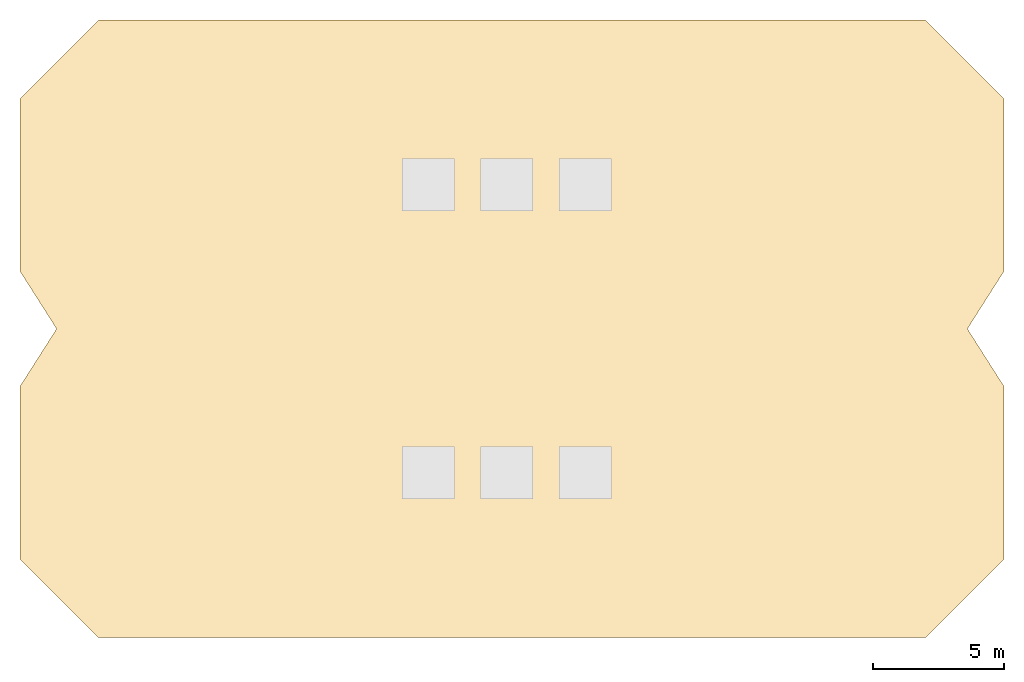
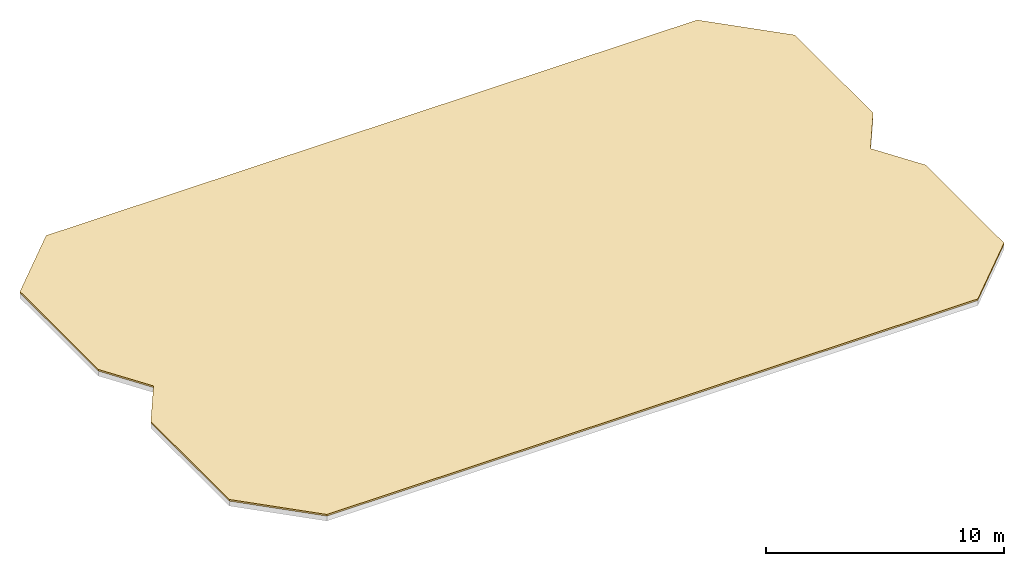
# One storey, part 2 of 2: 1 covering.
"""IFC4 building model written with IfcOpenShell, lengths in metres."""

from ifc_helpers import new_model, si_unit, direction, frame, origin, place, context, subcontext, project, spatial, polyline, outline, extrude, material, layer, layer_set, type_object, element, save


model = new_model("IFC4")

# Units and contexts
model_context = context("Model", 3, precision=1e-05, world=origin(), true_north=direction((0.0, 1.0)))
body_context = subcontext(model_context, "Body", "Model", "MODEL_VIEW")
ifc_project = project(units=[si_unit("LENGTHUNIT", "METRE"), si_unit("AREAUNIT", "SQUARE_METRE"), si_unit("VOLUMEUNIT", "CUBIC_METRE"), si_unit("PLANEANGLEUNIT", "RADIAN"), si_unit("MASSUNIT", "GRAM", prefix="KILO")], contexts=[model_context])

# Site, building, storey
site_placement = place(None, origin())
site = spatial("IfcSite", under=ifc_project, at=site_placement, CompositionType="ELEMENT")
building_placement = place(site_placement, origin())
building = spatial("IfcBuilding", under=site, at=building_placement, Name="Khamvora Tower", CompositionType="ELEMENT")
storey_placement = place(building_placement, frame((0.0, 0.0, 312.050048828125)))
storey = spatial("IfcBuildingStorey", under=building, at=storey_placement, Name="UPPER ROOF", CompositionType="ELEMENT", Elevation=312.050048828125)

# Covering
ifc_material = material(Name="Insulated Elastomeric Roof Waterproofing System", Category="membrane")
ifc_layer = layer(ifc_material, 0.0849609375)
ifc_layer_set = layer_set([ifc_layer], Name="Insulated Elastomeric Roof Waterproofing System")
covering_type = type_object("IfcCoveringType", Name="COV-ROOF-MEM", PredefinedType="ROOFING", material=ifc_layer_set)
covering_placement = place(storey_placement, origin())
element("IfcCovering", 1, at=covering_placement, inside=storey, type_object=covering_type, Name="Upper crown roof elastomeric waterproofing membrane", PredefinedType="ROOFING", context=body_context, shape_type="SweptSolid", body=[
    extrude(outline(polyline([(29.199951171875, 16.199951171875), (60.800048828125, 16.199951171875), (63.800048828125, 19.199951171875), (63.800048828125, 25.800048828125), (62.39990234375, 28.0), (63.800048828125, 30.199951171875), (63.800048828125, 36.800048828125), (60.800048828125, 39.800048828125), (29.199951171875, 39.800048828125), (26.199951171875, 36.800048828125), (26.199951171875, 30.199951171875), (27.60009765625, 28.0), (26.199951171875, 25.800048828125), (26.199951171875, 19.199951171875), (29.199951171875, 16.199951171875)])), origin(), (0.0, 0.0, 1.0), 0.0849609375),
])

save(model, "model.ifc")
